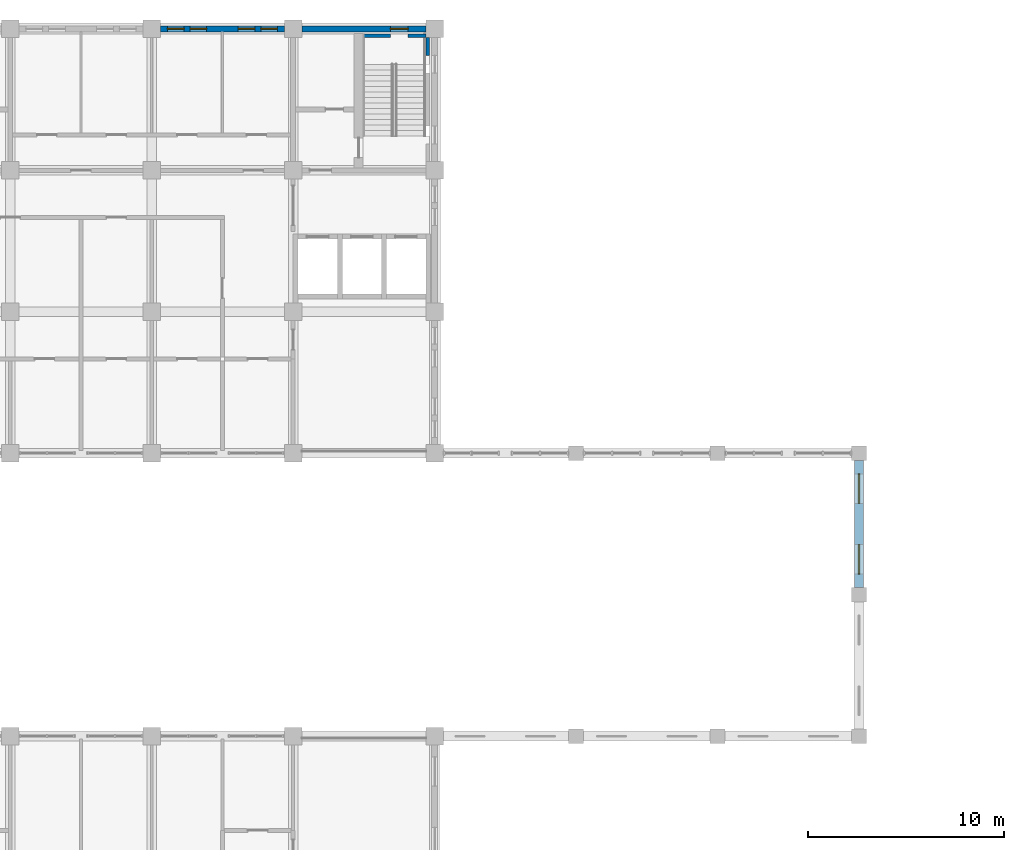
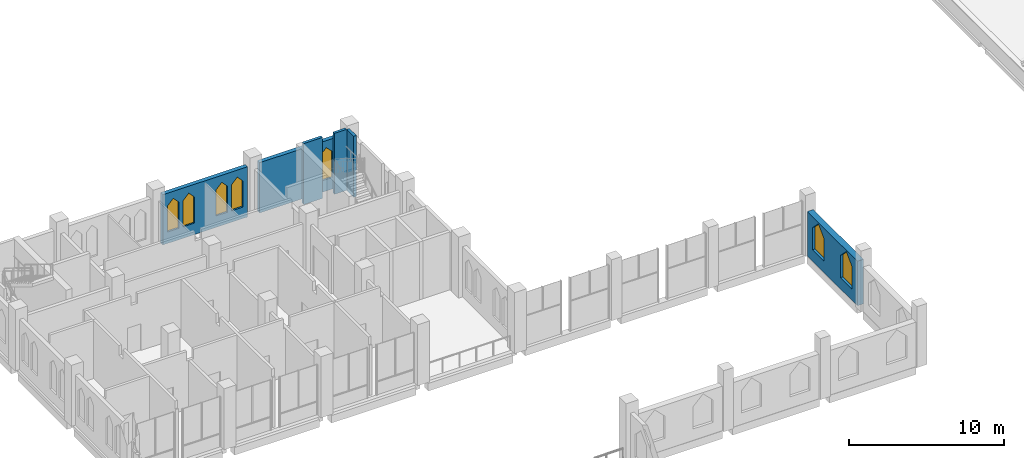
# One storey, part 25 of 30: 7 windows, 6 walls, 7 openings.
"""IFC4 building model written with IfcOpenShell, lengths in metres."""

from ifc_helpers import new_model, si_unit, direction, frame, frame_2d, origin, place, context, subcontext, project, spatial, polyline, rectangle, outline, extrude, material, layer, layer_set, type_object, element, fill, save


model = new_model("IFC4")

# Units and contexts
model_context = context("Model", 3, precision=1e-05, world=origin(), true_north=direction((0.0, 1.0)))
body_context = subcontext(model_context, "Body", "Model", "MODEL_VIEW")
ifc_project = project(units=[si_unit("LENGTHUNIT", "METRE"), si_unit("AREAUNIT", "SQUARE_METRE"), si_unit("VOLUMEUNIT", "CUBIC_METRE"), si_unit("PLANEANGLEUNIT", "RADIAN"), si_unit("MASSUNIT", "GRAM", prefix="KILO")], contexts=[model_context])

# Site, building, storey
site_placement = place(None, origin())
site = spatial("IfcSite", under=ifc_project, at=site_placement, CompositionType="ELEMENT")
building_placement = place(site_placement, origin())
building = spatial("IfcBuilding", under=site, at=building_placement, Name="Silangan Lancet Faculty of Sciences", CompositionType="ELEMENT")
storey_placement = place(building_placement, frame((0.0, 0.0, 31.199951171875)))
storey = spatial("IfcBuildingStorey", under=building, at=storey_placement, Name="L06", CompositionType="ELEMENT", Elevation=31.199951171875)

# Wall, openings, windows
ifc_material_1 = material(Name="Concrete C40/50 precast", Category="concrete")
ifc_layer_1 = layer(ifc_material_1, 0.300048828125)
ifc_layer_set_1 = layer_set([ifc_layer_1], Name="Concrete C40/50 precast")
wall_type_1 = type_object("IfcWallType", Name="EW1 Precast cladding wall", PredefinedType="STANDARD", material=ifc_layer_set_1)
wall_1_placement = place(storey_placement, frame((21.14990234375, 57.60009765625, 0.0), z_axis=(0.0, 0.0, 1.0), x_axis=(-1.0, 0.0, 0.0)))
wall_1 = element("IfcWall", 1, at=wall_1_placement, inside=storey, type_object=wall_type_1, Name="EW-L06-N-NT-01", PredefinedType="STANDARD", context=body_context, shape_type="SweptSolid", body=[
    extrude(rectangle(XDim=6.2998046875, YDim=0.300048828125, at=frame_2d((3.14990234375, 0.0))), origin(), (0.0, 0.0, 1.0), 3.949951171875),
])
opening_1_placement = place(wall_1_placement, frame((0.35009765625, 0.0, 0.89990234375)))
opening_1 = element("IfcOpeningElement", 2, at=opening_1_placement, cuts=wall_1, Name="Opening W14", PredefinedType="OPENING", context=body_context, shape_type="SweptSolid", body=[
    extrude(outline(polyline([(0.0, 0.0), (0.85009765625, 0.0), (0.85009765625, 2.050048828125), (0.425048828125, 2.5), (0.0, 2.050048828125), (0.0, 0.0)])), frame((0.0, 0.159912109375, 0.0), z_axis=(0.0, -1.0, 0.0), x_axis=(1.0, 0.0, 0.0)), (0.0, 0.0, 1.0), 0.320068359375),
])
opening_2_placement = place(wall_1_placement, frame((1.5, 0.0, 0.89990234375)))
opening_2 = element("IfcOpeningElement", 3, at=opening_2_placement, cuts=wall_1, Name="Opening W14", PredefinedType="OPENING", context=body_context, shape_type="SweptSolid", body=[
    extrude(outline(polyline([(0.0, 0.0), (0.85009765625, 0.0), (0.85009765625, 2.050048828125), (0.425048828125, 2.5), (0.0, 2.050048828125), (0.0, 0.0)])), frame((0.0, 0.159912109375, 0.0), z_axis=(0.0, -1.0, 0.0), x_axis=(1.0, 0.0, 0.0)), (0.0, 0.0, 1.0), 0.320068359375),
])
opening_3_placement = place(wall_1_placement, frame((3.949951171875, 0.0, 0.89990234375)))
opening_3 = element("IfcOpeningElement", 4, at=opening_3_placement, cuts=wall_1, Name="Opening W14", PredefinedType="OPENING", context=body_context, shape_type="SweptSolid", body=[
    extrude(outline(polyline([(0.0, 0.0), (0.85009765625, 0.0), (0.85009765625, 2.050048828125), (0.425048828125, 2.5), (0.0, 2.050048828125), (0.0, 0.0)])), frame((0.0, 0.159912109375, 0.0), z_axis=(0.0, -1.0, 0.0), x_axis=(1.0, 0.0, 0.0)), (0.0, 0.0, 1.0), 0.320068359375),
])
opening_4_placement = place(wall_1_placement, frame((5.10009765625, 0.0, 0.89990234375)))
opening_4 = element("IfcOpeningElement", 5, at=opening_4_placement, cuts=wall_1, Name="Opening W14", PredefinedType="OPENING", context=body_context, shape_type="SweptSolid", body=[
    extrude(outline(polyline([(0.0, 0.0), (0.85009765625, 0.0), (0.85009765625, 2.050048828125), (0.425048828125, 2.5), (0.0, 2.050048828125), (0.0, 0.0)])), frame((0.0, 0.159912109375, 0.0), z_axis=(0.0, -1.0, 0.0), x_axis=(1.0, 0.0, 0.0)), (0.0, 0.0, 1.0), 0.320068359375),
])
ifc_material_2 = material(Name="Aluminium frame, laminated double glazing", Category="aluminium")
window_type_1 = type_object("IfcWindowType", Name="W14 Lancet window 850 x 2500", PartitioningType="SINGLE_PANEL", PredefinedType="WINDOW", material=ifc_material_2)
window_1_placement = place(opening_1_placement, origin())
window_1 = element("IfcWindow", 6, at=window_1_placement, inside=storey, type_object=window_type_1, Name="WIN-L06-N-NT-01a1", OverallHeight=2.5, OverallWidth=0.85009765625, PartitioningType="SINGLE_PANEL", PredefinedType="WINDOW", context=body_context, shape_type="SweptSolid", body=[
    extrude(outline(polyline([(0.0, 0.0), (0.85009765625, 0.0), (0.85009765625, 2.050048828125), (0.425048828125, 2.5), (0.0, 2.050048828125), (0.0, 0.0)])), frame((0.0, 0.030029296875, 0.0), z_axis=(0.0, -1.0, 0.0), x_axis=(1.0, 0.0, 0.0)), (0.0, 0.0, 1.0), 0.06005859375),
])
fill(opening_1, window_1)
window_2_placement = place(opening_2_placement, origin())
window_2 = element("IfcWindow", 7, at=window_2_placement, inside=storey, type_object=window_type_1, Name="WIN-L06-N-NT-01a2", OverallHeight=2.5, OverallWidth=0.85009765625, PartitioningType="SINGLE_PANEL", PredefinedType="WINDOW", context=body_context, shape_type="SweptSolid", body=[
    extrude(outline(polyline([(0.0, 0.0), (0.85009765625, 0.0), (0.85009765625, 2.050048828125), (0.425048828125, 2.5), (0.0, 2.050048828125), (0.0, 0.0)])), frame((0.0, 0.030029296875, 0.0), z_axis=(0.0, -1.0, 0.0), x_axis=(1.0, 0.0, 0.0)), (0.0, 0.0, 1.0), 0.06005859375),
])
fill(opening_2, window_2)
window_3_placement = place(opening_3_placement, origin())
window_3 = element("IfcWindow", 8, at=window_3_placement, inside=storey, type_object=window_type_1, Name="WIN-L06-N-NT-01b1", OverallHeight=2.5, OverallWidth=0.85009765625, PartitioningType="SINGLE_PANEL", PredefinedType="WINDOW", context=body_context, shape_type="SweptSolid", body=[
    extrude(outline(polyline([(0.0, 0.0), (0.85009765625, 0.0), (0.85009765625, 2.050048828125), (0.425048828125, 2.5), (0.0, 2.050048828125), (0.0, 0.0)])), frame((0.0, 0.030029296875, 0.0), z_axis=(0.0, -1.0, 0.0), x_axis=(1.0, 0.0, 0.0)), (0.0, 0.0, 1.0), 0.06005859375),
])
fill(opening_3, window_3)
window_4_placement = place(opening_4_placement, origin())
window_4 = element("IfcWindow", 9, at=window_4_placement, inside=storey, type_object=window_type_1, Name="WIN-L06-N-NT-01b2", OverallHeight=2.5, OverallWidth=0.85009765625, PartitioningType="SINGLE_PANEL", PredefinedType="WINDOW", context=body_context, shape_type="SweptSolid", body=[
    extrude(outline(polyline([(0.0, 0.0), (0.85009765625, 0.0), (0.85009765625, 2.050048828125), (0.425048828125, 2.5), (0.0, 2.050048828125), (0.0, 0.0)])), frame((0.0, 0.030029296875, 0.0), z_axis=(0.0, -1.0, 0.0), x_axis=(1.0, 0.0, 0.0)), (0.0, 0.0, 1.0), 0.06005859375),
])
fill(opening_4, window_4)

# Wall, opening, window
ifc_material_3 = material(Name="Concrete C40/50 precast", Category="concrete")
ifc_layer_2 = layer(ifc_material_3, 0.300048828125)
ifc_layer_set_2 = layer_set([ifc_layer_2], Name="Concrete C40/50 precast")
wall_type_2 = type_object("IfcWallType", Name="EW2 Turret enclosure wall", PredefinedType="STANDARD", material=ifc_layer_set_2)
wall_2_placement = place(storey_placement, frame((28.35009765625, 57.60009765625, 0.0), z_axis=(0.0, 0.0, 1.0), x_axis=(-1.0, 0.0, 0.0)))
wall_2 = element("IfcWall", 10, at=wall_2_placement, inside=storey, type_object=wall_type_2, Name="EW-L06-N-NT-00", PredefinedType="STANDARD", context=body_context, shape_type="SweptSolid", body=[
    extrude(rectangle(XDim=6.300048828125, YDim=0.300048828125, at=frame_2d((3.14990234375, 0.0))), origin(), (0.0, 0.0, 1.0), 3.949951171875),
])
opening_5_placement = place(wall_2_placement, frame((0.89990234375, 0.0, 0.89990234375)))
opening_5 = element("IfcOpeningElement", 11, at=opening_5_placement, cuts=wall_2, Name="Opening W11", PredefinedType="OPENING", context=body_context, shape_type="SweptSolid", body=[
    extrude(outline(polyline([(0.0, 0.0), (0.89990234375, 0.0), (0.89990234375, 2.050048828125), (0.449951171875, 2.5), (0.0, 2.050048828125), (0.0, 0.0)])), frame((0.0, 0.159912109375, 0.0), z_axis=(0.0, -1.0, 0.0), x_axis=(1.0, 0.0, 0.0)), (0.0, 0.0, 1.0), 0.320068359375),
])
ifc_material_4 = material(Name="Aluminium frame, laminated double glazing", Category="aluminium")
window_type_2 = type_object("IfcWindowType", Name="W11 Lancet window 900 x 2500", PartitioningType="SINGLE_PANEL", PredefinedType="WINDOW", material=ifc_material_4)
window_5_placement = place(opening_5_placement, origin())
window_5 = element("IfcWindow", 12, at=window_5_placement, inside=storey, type_object=window_type_2, Name="WIN-L06-N-NT-00a", OverallHeight=2.5, OverallWidth=0.89990234375, PartitioningType="SINGLE_PANEL", PredefinedType="WINDOW", context=body_context, shape_type="SweptSolid", body=[
    extrude(outline(polyline([(0.0, 0.0), (0.89990234375, 0.0), (0.89990234375, 2.050048828125), (0.449951171875, 2.5), (0.0, 2.050048828125), (0.0, 0.0)])), frame((0.0, 0.030029296875, 0.0), z_axis=(0.0, -1.0, 0.0), x_axis=(1.0, 0.0, 0.0)), (0.0, 0.0, 1.0), 0.06005859375),
])
fill(opening_5, window_5)

# Wall, openings, windows
ifc_material_5 = material(Name="Concrete C40/50", Category="concrete")
ifc_layer_3 = layer(ifc_material_5, 0.449951171875)
ifc_layer_set_3 = layer_set([ifc_layer_3], Name="Concrete C40/50")
wall_type_3 = type_object("IfcWallType", Name="EW8 Clerestory wall with deep reveals", PredefinedType="STANDARD", material=ifc_layer_set_3)
wall_3_placement = place(storey_placement, frame((50.39990234375, 29.175048828125, 0.0), z_axis=(0.0, 0.0, 1.0), x_axis=(0.0, 1.0, 0.0)))
wall_3 = element("IfcWall", 13, at=wall_3_placement, inside=storey, type_object=wall_type_3, Name="EW-L06-E-NAVE-01", PredefinedType="STANDARD", context=body_context, shape_type="SweptSolid", body=[
    extrude(rectangle(XDim=6.449951171875, YDim=0.449951171875, at=frame_2d((3.22509765625, 0.0))), origin(), (0.0, 0.0, 1.0), 3.5),
])
opening_6_placement = place(wall_3_placement, frame((0.675048828125, 0.0, 0.89990234375)))
opening_6 = element("IfcOpeningElement", 14, at=opening_6_placement, cuts=wall_3, Name="Opening W12", PredefinedType="OPENING", context=body_context, shape_type="SweptSolid", body=[
    extrude(outline(polyline([(0.0, 0.0), (1.5, 0.0), (1.5, 1.75), (0.75, 2.5), (0.0, 1.75), (0.0, 0.0)])), frame((0.0, 0.23486328125, 0.0), z_axis=(0.0, -1.0, 0.0), x_axis=(1.0, 0.0, 0.0)), (0.0, 0.0, 1.0), 0.469970703125),
])
opening_7_placement = place(wall_3_placement, frame((4.27490234375, 0.0, 0.89990234375)))
opening_7 = element("IfcOpeningElement", 15, at=opening_7_placement, cuts=wall_3, Name="Opening W13", PredefinedType="OPENING", context=body_context, shape_type="SweptSolid", body=[
    extrude(outline(polyline([(0.0, 0.0), (1.5, 0.0), (1.5, 1.75), (0.75, 2.5), (0.0, 1.75), (0.0, 0.0)])), frame((0.0, 0.23486328125, 0.0), z_axis=(0.0, -1.0, 0.0), x_axis=(1.0, 0.0, 0.0)), (0.0, 0.0, 1.0), 0.469970703125),
])
ifc_material_6 = material(Name="Aluminium frame, laminated double glazing", Category="aluminium")
window_type_3 = type_object("IfcWindowType", Name="W12 Lancet window 1500 x 2500", PartitioningType="SINGLE_PANEL", PredefinedType="WINDOW", material=ifc_material_6)
window_6_placement = place(opening_6_placement, origin())
window_6 = element("IfcWindow", 16, at=window_6_placement, inside=storey, type_object=window_type_3, Name="WIN-L06-E-NAVE-01a", OverallHeight=2.5, OverallWidth=1.5, PartitioningType="SINGLE_PANEL", PredefinedType="WINDOW", context=body_context, shape_type="SweptSolid", body=[
    extrude(outline(polyline([(0.0, 0.0), (1.5, 0.0), (1.5, 1.75), (0.75, 2.5), (0.0, 1.75), (0.0, 0.0)])), frame((0.0, 0.030029296875, 0.0), z_axis=(0.0, -1.0, 0.0), x_axis=(1.0, 0.0, 0.0)), (0.0, 0.0, 1.0), 0.06005859375),
])
fill(opening_6, window_6)
ifc_material_7 = material(Name="Aluminium storm louvre blades", Category="aluminium")
window_type_4 = type_object("IfcWindowType", Name="W13 Storm louvre lancet 1500 x 2500", PartitioningType="SINGLE_PANEL", PredefinedType="WINDOW", material=ifc_material_7)
window_7_placement = place(opening_7_placement, origin())
window_7 = element("IfcWindow", 17, at=window_7_placement, inside=storey, type_object=window_type_4, Name="WIN-L06-E-NAVE-01b", OverallHeight=2.5, OverallWidth=1.5, PartitioningType="SINGLE_PANEL", PredefinedType="WINDOW", context=body_context, shape_type="SweptSolid", body=[
    extrude(outline(polyline([(0.0, 0.0), (1.5, 0.0), (1.5, 1.75), (0.75, 2.5), (0.0, 1.75), (0.0, 0.0)])), frame((0.0, 0.030029296875, 0.0), z_axis=(0.0, -1.0, 0.0), x_axis=(1.0, 0.0, 0.0)), (0.0, 0.0, 1.0), 0.06005859375),
])
fill(opening_7, window_7)

# Walls
ifc_material_8 = material(Name="Concrete C40/50", Category="concrete")
ifc_layer_4 = layer(ifc_material_8, 0.199951171875)
ifc_layer_set_4 = layer_set([ifc_layer_4], Name="Concrete C40/50")
wall_type_4 = type_object("IfcWallType", Name="TURRET LINING WALL RC 200", PredefinedType="SHEAR", material=ifc_layer_set_4)
wall_4_placement = place(storey_placement, frame((28.449951171875, 56.25, -0.25), z_axis=(0.0, 0.0, 1.0), x_axis=(0.0, 1.0, 0.0)))
element("IfcWall", 18, at=wall_4_placement, inside=storey, type_object=wall_type_4, Name="WALL-L06-NT-B-WL-3", PredefinedType="SHEAR", context=body_context, shape_type="SweptSolid", body=[
    extrude(rectangle(XDim=0.89990234375, YDim=0.199951171875, at=frame_2d((0.449951171875, 0.0))), origin(), (0.0, 0.0, 1.0), 4.800048828125),
])
wall_5_placement = place(storey_placement, frame((25.14990234375, 57.25, -0.25), z_axis=(0.0, 0.0, 1.0), x_axis=(1.0, 0.0, 0.0)))
element("IfcWall", 19, at=wall_5_placement, inside=storey, type_object=wall_type_4, Name="WALL-L06-NT-B-WLD", PredefinedType="SHEAR", context=body_context, shape_type="SweptSolid", body=[
    extrude(rectangle(XDim=1.400146484375, YDim=0.199951171875, at=frame_2d((0.7001953125, 0.0))), origin(), (0.0, 0.0, 1.0), 4.800048828125),
])
wall_6_placement = place(storey_placement, frame((27.449951171875, 57.25, -0.25), z_axis=(0.0, 0.0, 1.0), x_axis=(1.0, 0.0, 0.0)))
element("IfcWall", 20, at=wall_6_placement, inside=storey, type_object=wall_type_4, Name="WALL-L06-NT-B-WLD-2", PredefinedType="SHEAR", context=body_context, shape_type="SweptSolid", body=[
    extrude(rectangle(XDim=0.900146484375, YDim=0.199951171875, at=frame_2d((0.4501953125, 0.0))), origin(), (0.0, 0.0, 1.0), 4.800048828125),
])

save(model, "model.ifc")
